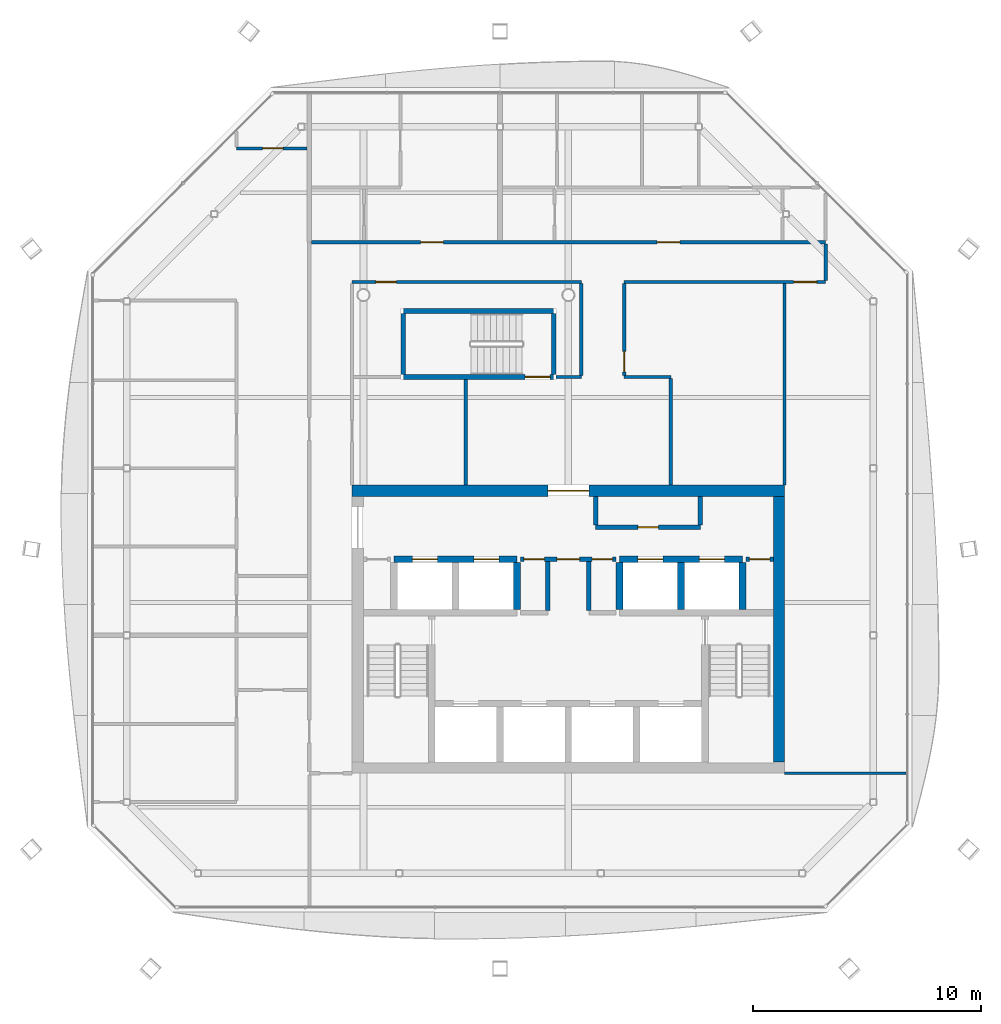
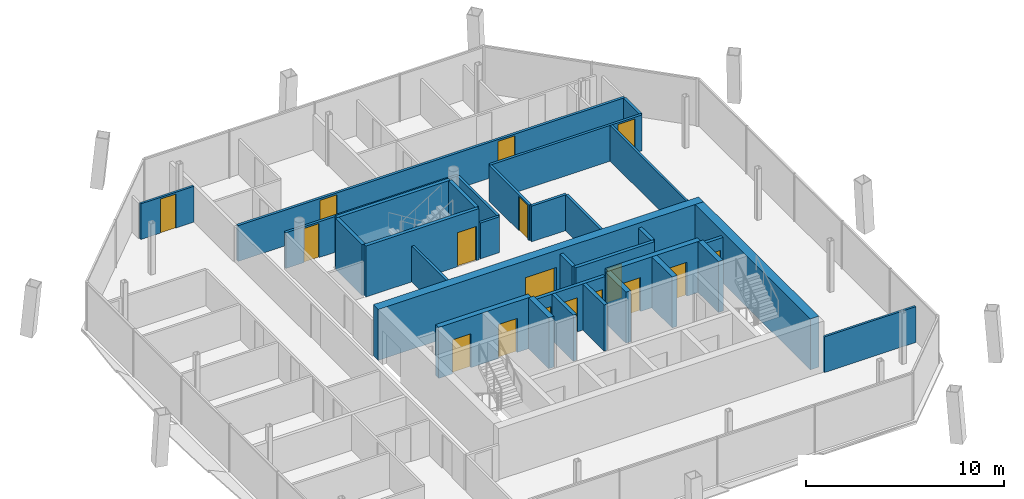
# One storey, part 11 of 15: 32 walls, 17 doors, 17 openings.
"""IFC4 building model written with IfcOpenShell, lengths in metres."""

from ifc_helpers import new_model, si_unit, direction, frame, frame_2d, origin, place, context, subcontext, project, spatial, rectangle, extrude, material, layer, layer_set, type_object, element, fill, save


model = new_model("IFC4")

# Units and contexts
model_context = context("Model", 3, precision=1e-05, world=origin(), true_north=direction((0.0, 1.0)))
body_context = subcontext(model_context, "Body", "Model", "MODEL_VIEW")
ifc_project = project(units=[si_unit("LENGTHUNIT", "METRE"), si_unit("AREAUNIT", "SQUARE_METRE"), si_unit("VOLUMEUNIT", "CUBIC_METRE"), si_unit("PLANEANGLEUNIT", "RADIAN"), si_unit("MASSUNIT", "GRAM", prefix="KILO")], contexts=[model_context])

# Site, building, storey
site_placement = place(None, origin())
site = spatial("IfcSite", under=ifc_project, at=site_placement, CompositionType="ELEMENT")
building_placement = place(site_placement, origin())
building = spatial("IfcBuilding", under=site, at=building_placement, Name="Tskaro Facet Tower", CompositionType="ELEMENT")
storey_placement = place(building_placement, frame((0.0, 0.0, 242.39990234375)))
storey = spatial("IfcBuildingStorey", under=building, at=storey_placement, Name="L63", CompositionType="ELEMENT", Elevation=242.39990234375)

# Wall, openings, doors
ifc_material_1 = material(Name="Concrete C60/75", Category="concrete")
ifc_layer_1 = layer(ifc_material_1, 0.300048828125, Name="Concrete C60/75")
ifc_layer_set_1 = layer_set([ifc_layer_1], Name="Concrete C60/75")
wall_type_1 = type_object("IfcWallType", Name="CORE-SHAFT", PredefinedType="SHEAR", material=ifc_layer_set_1)
wall_1_placement = place(storey_placement, frame((-7.64990234375, -2.60009765625, 0.0), z_axis=(0.0, 0.0, 1.0), x_axis=(1.0, 0.0, 0.0)))
wall_1 = element("IfcWall", 1, at=wall_1_placement, inside=storey, type_object=wall_type_1, Name="Shaft wall W016", PredefinedType="SHEAR", context=body_context, shape_type="SweptSolid", body=[
    extrude(rectangle(XDim=5.39990234375, YDim=0.300048828125, at=frame_2d((2.699951171875, 0.0))), origin(), (0.0, 0.0, 1.0), 3.150146484375),
])
opening_1_placement = place(wall_1_placement, frame((0.800048828125, 0.0, 0.0)))
opening_1 = element("IfcOpeningElement", 2, at=opening_1_placement, cuts=wall_1, Name="Opening LD-HB1", PredefinedType="OPENING", context=body_context, shape_type="SweptSolid", body=[
    extrude(rectangle(XDim=1.10009765625, YDim=2.10009765625, at=frame_2d((0.550048828125, 1.050048828125))), frame((0.0, 0.159912109375, 0.0), z_axis=(0.0, -1.0, 0.0), x_axis=(1.0, 0.0, 0.0)), (0.0, 0.0, 1.0), 0.320068359375),
])
opening_2_placement = place(wall_1_placement, frame((3.5, 0.0, 0.0)))
opening_2 = element("IfcOpeningElement", 3, at=opening_2_placement, cuts=wall_1, Name="Opening LD-HB2", PredefinedType="OPENING", context=body_context, shape_type="SweptSolid", body=[
    extrude(rectangle(XDim=1.10009765625, YDim=2.10009765625, at=frame_2d((0.550048828125, 1.050048828125))), frame((0.0, 0.159912109375, 0.0), z_axis=(0.0, -1.0, 0.0), x_axis=(1.0, 0.0, 0.0)), (0.0, 0.0, 1.0), 0.320068359375),
])
ifc_material_2 = material(Name="Stainless steel", Category="steel")
door_type_1 = type_object("IfcDoorType", Name="D-LANDING", OperationType="NOTDEFINED", PredefinedType="DOOR", material=ifc_material_2)
door_1_placement = place(opening_1_placement, origin())
door_1 = element("IfcDoor", 4, at=door_1_placement, inside=storey, type_object=door_type_1, Name="Landing door HB1", OperationType="DOUBLE_DOOR_SLIDING", OverallHeight=2.10009765625, OverallWidth=1.10009765625, PredefinedType="DOOR", context=body_context, shape_type="SweptSolid", body=[
    extrude(rectangle(XDim=1.10009765625, YDim=2.10009765625, at=frame_2d((0.550048828125, 1.050048828125))), frame((0.0, 0.02490234375, 0.0), z_axis=(0.0, -1.0, 0.0), x_axis=(1.0, 0.0, 0.0)), (0.0, 0.0, 1.0), 0.050048828125),
])
fill(opening_1, door_1)
door_2_placement = place(opening_2_placement, origin())
door_2 = element("IfcDoor", 5, at=door_2_placement, inside=storey, type_object=door_type_1, Name="Landing door HB2", OperationType="DOUBLE_DOOR_SLIDING", OverallHeight=2.10009765625, OverallWidth=1.10009765625, PredefinedType="DOOR", context=body_context, shape_type="SweptSolid", body=[
    extrude(rectangle(XDim=1.10009765625, YDim=2.10009765625, at=frame_2d((0.550048828125, 1.050048828125))), frame((0.0, 0.02490234375, 0.0), z_axis=(0.0, -1.0, 0.0), x_axis=(1.0, 0.0, 0.0)), (0.0, 0.0, 1.0), 0.050048828125),
])
fill(opening_2, door_2)

wall_2_placement = place(storey_placement, frame((2.25, -2.60009765625, 0.0), z_axis=(0.0, 0.0, 1.0), x_axis=(1.0, 0.0, 0.0)))
wall_2 = element("IfcWall", 6, at=wall_2_placement, inside=storey, type_object=wall_type_1, Name="Shaft wall W018", PredefinedType="SHEAR", context=body_context, shape_type="SweptSolid", body=[
    extrude(rectangle(XDim=5.39990234375, YDim=0.300048828125, at=frame_2d((2.699951171875, 0.0))), origin(), (0.0, 0.0, 1.0), 3.150146484375),
])
opening_3_placement = place(wall_2_placement, frame((0.800048828125, 0.0, 0.0)))
opening_3 = element("IfcOpeningElement", 7, at=opening_3_placement, cuts=wall_2, Name="Opening LD-HB3", PredefinedType="OPENING", context=body_context, shape_type="SweptSolid", body=[
    extrude(rectangle(XDim=1.10009765625, YDim=2.10009765625, at=frame_2d((0.550048828125, 1.050048828125))), frame((0.0, 0.159912109375, 0.0), z_axis=(0.0, -1.0, 0.0), x_axis=(1.0, 0.0, 0.0)), (0.0, 0.0, 1.0), 0.320068359375),
])
opening_4_placement = place(wall_2_placement, frame((3.5, 0.0, 0.0)))
opening_4 = element("IfcOpeningElement", 8, at=opening_4_placement, cuts=wall_2, Name="Opening LD-HB4", PredefinedType="OPENING", context=body_context, shape_type="SweptSolid", body=[
    extrude(rectangle(XDim=1.10009765625, YDim=2.10009765625, at=frame_2d((0.550048828125, 1.050048828125))), frame((0.0, 0.159912109375, 0.0), z_axis=(0.0, -1.0, 0.0), x_axis=(1.0, 0.0, 0.0)), (0.0, 0.0, 1.0), 0.320068359375),
])
door_3_placement = place(opening_3_placement, origin())
door_3 = element("IfcDoor", 9, at=door_3_placement, inside=storey, type_object=door_type_1, Name="Landing door HB3", OperationType="DOUBLE_DOOR_SLIDING", OverallHeight=2.10009765625, OverallWidth=1.10009765625, PredefinedType="DOOR", context=body_context, shape_type="SweptSolid", body=[
    extrude(rectangle(XDim=1.10009765625, YDim=2.10009765625, at=frame_2d((0.550048828125, 1.050048828125))), frame((0.0, 0.02490234375, 0.0), z_axis=(0.0, -1.0, 0.0), x_axis=(1.0, 0.0, 0.0)), (0.0, 0.0, 1.0), 0.050048828125),
])
fill(opening_3, door_3)
door_4_placement = place(opening_4_placement, origin())
door_4 = element("IfcDoor", 10, at=door_4_placement, inside=storey, type_object=door_type_1, Name="Landing door HB4", OperationType="DOUBLE_DOOR_SLIDING", OverallHeight=2.10009765625, OverallWidth=1.10009765625, PredefinedType="DOOR", context=body_context, shape_type="SweptSolid", body=[
    extrude(rectangle(XDim=1.10009765625, YDim=2.10009765625, at=frame_2d((0.550048828125, 1.050048828125))), frame((0.0, 0.02490234375, 0.0), z_axis=(0.0, -1.0, 0.0), x_axis=(1.0, 0.0, 0.0)), (0.0, 0.0, 1.0), 0.050048828125),
])
fill(opening_4, door_4)

# Walls
for number, where, z_axis, x_axis, name in (
    (11, (-2.25, -4.800048828125, 0.0), (0.0, 0.0, 1.0), (0.0, 1.0, 0.0), "Shaft wall W055"),
    (12, (2.25, -4.800048828125, 0.0), (0.0, 0.0, 1.0), (0.0, 1.0, 0.0), "Shaft wall W064"),
    (13, (4.949951171875, -4.800048828125, 0.0), (0.0, 0.0, 1.0), (0.0, 1.0, 0.0), "Shaft wall W069"),
    (14, (7.64990234375, -4.800048828125, 0.0), (0.0, 0.0, 1.0), (0.0, 1.0, 0.0), "Shaft wall W074"),
):
    element("IfcWall", number, at=place(storey_placement, frame(where, z_axis=z_axis, x_axis=x_axis)), inside=storey, type_object=wall_type_1, Name=name, PredefinedType="SHEAR", context=body_context, shape_type="SweptSolid", body=[
        extrude(rectangle(XDim=2.050048828125, YDim=0.300048828125, at=frame_2d((1.02490234375, 0.0))), origin(), (0.0, 0.0, 1.0), 3.150146484375),
    ])

# Wall, openings, doors
ifc_material_3 = material(Name="Concrete C20/25", Category="concrete")
ifc_layer_2 = layer(ifc_material_3, 0.199951171875, Name="Concrete C20/25")
ifc_layer_set_2 = layer_set([ifc_layer_2], Name="Concrete C20/25")
wall_type_2 = type_object("IfcWallType", Name="CORE-WALL", PredefinedType="SOLIDWALL", material=ifc_layer_set_2)
wall_3_placement = place(storey_placement, frame((2.10009765625, -2.60009765625, 0.0), z_axis=(0.0, 0.0, 1.0), x_axis=(-1.0, 0.0, 0.0)))
wall_3 = element("IfcWall", 15, at=wall_3_placement, inside=storey, type_object=wall_type_2, Name="Core room wall W017", PredefinedType="SOLIDWALL", context=body_context, shape_type="SweptSolid", body=[
    extrude(rectangle(XDim=4.2001953125, YDim=0.199951171875, at=frame_2d((2.10009765625, 0.0))), origin(), (0.0, 0.0, 1.0), 2.85009765625),
])
opening_5_placement = place(wall_3_placement, frame((1.60009765625, 0.0, 0.0)))
opening_5 = element("IfcOpeningElement", 16, at=opening_5_placement, cuts=wall_3, Name="Opening FL-D1", PredefinedType="OPENING", context=body_context, shape_type="SweptSolid", body=[
    extrude(rectangle(XDim=1.0, YDim=2.10009765625, at=frame_2d((0.5, 1.050048828125))), frame((0.0, 0.10986328125, 0.0), z_axis=(0.0, -1.0, 0.0), x_axis=(1.0, 0.0, 0.0)), (0.0, 0.0, 1.0), 0.219970703125),
])
opening_6_placement = place(wall_3_placement, frame((3.14990234375, 0.0, 0.0)))
opening_6 = element("IfcOpeningElement", 17, at=opening_6_placement, cuts=wall_3, Name="Opening T18-D09", PredefinedType="OPENING", context=body_context, shape_type="SweptSolid", body=[
    extrude(rectangle(XDim=0.89990234375, YDim=2.10009765625, at=frame_2d((0.449951171875, 1.050048828125))), frame((0.0, 0.10986328125, 0.0), z_axis=(0.0, -1.0, 0.0), x_axis=(1.0, 0.0, 0.0)), (0.0, 0.0, 1.0), 0.219970703125),
])
opening_7_placement = place(wall_3_placement, frame((0.14990234375, 0.0, 0.0)))
opening_7 = element("IfcOpeningElement", 18, at=opening_7_placement, cuts=wall_3, Name="Opening T18-D10", PredefinedType="OPENING", context=body_context, shape_type="SweptSolid", body=[
    extrude(rectangle(XDim=0.89990234375, YDim=2.10009765625, at=frame_2d((0.449951171875, 1.050048828125))), frame((0.0, 0.10986328125, 0.0), z_axis=(0.0, -1.0, 0.0), x_axis=(1.0, 0.0, 0.0)), (0.0, 0.0, 1.0), 0.219970703125),
])
ifc_material_4 = material(Name="Steel", Category="steel")
door_type_2 = type_object("IfcDoorType", Name="D-LOBBY", OperationType="NOTDEFINED", PredefinedType="DOOR", material=ifc_material_4)
door_5_placement = place(opening_5_placement, origin())
door_5 = element("IfcDoor", 19, at=door_5_placement, inside=storey, type_object=door_type_2, Name="Lobby door FL", OperationType="SINGLE_SWING_RIGHT", OverallHeight=2.10009765625, OverallWidth=1.0, PredefinedType="DOOR", context=body_context, shape_type="SweptSolid", body=[
    extrude(rectangle(XDim=1.0, YDim=2.10009765625, at=frame_2d((0.5, 1.050048828125))), frame((0.0, 0.02490234375, 0.0), z_axis=(0.0, -1.0, 0.0), x_axis=(1.0, 0.0, 0.0)), (0.0, 0.0, 1.0), 0.050048828125),
])
fill(opening_5, door_5)
ifc_material_5 = material(Name="Timber", Category="wood")
door_type_3 = type_object("IfcDoorType", Name="D-ROOM", OperationType="NOTDEFINED", PredefinedType="DOOR", material=ifc_material_5)
door_6_placement = place(opening_6_placement, origin())
door_6 = element("IfcDoor", 20, at=door_6_placement, inside=storey, type_object=door_type_3, Name="Door T18-D09", OperationType="SINGLE_SWING_RIGHT", OverallHeight=2.10009765625, OverallWidth=0.89990234375, PredefinedType="DOOR", context=body_context, shape_type="SweptSolid", body=[
    extrude(rectangle(XDim=0.89990234375, YDim=2.10009765625, at=frame_2d((0.449951171875, 1.050048828125))), frame((0.0, 0.02490234375, 0.0), z_axis=(0.0, -1.0, 0.0), x_axis=(1.0, 0.0, 0.0)), (0.0, 0.0, 1.0), 0.050048828125),
])
fill(opening_6, door_6)
door_7_placement = place(opening_7_placement, origin())
door_7 = element("IfcDoor", 21, at=door_7_placement, inside=storey, type_object=door_type_3, Name="Door T18-D10", OperationType="SINGLE_SWING_RIGHT", OverallHeight=2.10009765625, OverallWidth=0.89990234375, PredefinedType="DOOR", context=body_context, shape_type="SweptSolid", body=[
    extrude(rectangle(XDim=0.89990234375, YDim=2.10009765625, at=frame_2d((0.449951171875, 1.050048828125))), frame((0.0, 0.02490234375, 0.0), z_axis=(0.0, -1.0, 0.0), x_axis=(1.0, 0.0, 0.0)), (0.0, 0.0, 1.0), 0.050048828125),
])
fill(opening_7, door_7)

# Wall, opening, door
wall_4_placement = place(storey_placement, frame((9.0, -2.60009765625, 0.0), z_axis=(0.0, 0.0, 1.0), x_axis=(-1.0, 0.0, 0.0)))
wall_4 = element("IfcWall", 22, at=wall_4_placement, inside=storey, type_object=wall_type_2, Name="Core room wall W019", PredefinedType="SOLIDWALL", context=body_context, shape_type="SweptSolid", body=[
    extrude(rectangle(XDim=1.199951171875, YDim=0.199951171875, at=frame_2d((0.60009765625, 0.0))), origin(), (0.0, 0.0, 1.0), 2.85009765625),
])
opening_8_placement = place(wall_4_placement, frame((0.14990234375, 0.0, 0.0)))
opening_8 = element("IfcOpeningElement", 23, at=opening_8_placement, cuts=wall_4, Name="Opening T18-D11", PredefinedType="OPENING", context=body_context, shape_type="SweptSolid", body=[
    extrude(rectangle(XDim=0.89990234375, YDim=2.10009765625, at=frame_2d((0.449951171875, 1.050048828125))), frame((0.0, 0.10986328125, 0.0), z_axis=(0.0, -1.0, 0.0), x_axis=(1.0, 0.0, 0.0)), (0.0, 0.0, 1.0), 0.219970703125),
])
door_8_placement = place(opening_8_placement, origin())
door_8 = element("IfcDoor", 24, at=door_8_placement, inside=storey, type_object=door_type_3, Name="Door T18-D11", OperationType="SINGLE_SWING_RIGHT", OverallHeight=2.10009765625, OverallWidth=0.89990234375, PredefinedType="DOOR", context=body_context, shape_type="SweptSolid", body=[
    extrude(rectangle(XDim=0.89990234375, YDim=2.10009765625, at=frame_2d((0.449951171875, 1.050048828125))), frame((0.0, 0.02490234375, 0.0), z_axis=(0.0, -1.0, 0.0), x_axis=(1.0, 0.0, 0.0)), (0.0, 0.0, 1.0), 0.050048828125),
])
fill(opening_8, door_8)

wall_5_placement = place(storey_placement, frame((1.199951171875, -1.199951171875, 0.0), z_axis=(0.0, 0.0, 1.0), x_axis=(1.0, 0.0, 0.0)))
wall_5 = element("IfcWall", 25, at=wall_5_placement, inside=storey, type_object=wall_type_2, Name="Core room wall W021", PredefinedType="SOLIDWALL", context=body_context, shape_type="SweptSolid", body=[
    extrude(rectangle(XDim=4.60009765625, YDim=0.199951171875, at=frame_2d((2.300048828125, 0.0))), origin(), (0.0, 0.0, 1.0), 2.85009765625),
])
opening_9_placement = place(wall_5_placement, frame((1.85009765625, 0.0, 0.0)))
opening_9 = element("IfcOpeningElement", 26, at=opening_9_placement, cuts=wall_5, Name="Opening T18-D13", PredefinedType="OPENING", context=body_context, shape_type="SweptSolid", body=[
    extrude(rectangle(XDim=0.89990234375, YDim=2.10009765625, at=frame_2d((0.449951171875, 1.050048828125))), frame((0.0, 0.10986328125, 0.0), z_axis=(0.0, -1.0, 0.0), x_axis=(1.0, 0.0, 0.0)), (0.0, 0.0, 1.0), 0.219970703125),
])
door_9_placement = place(opening_9_placement, origin())
door_9 = element("IfcDoor", 27, at=door_9_placement, inside=storey, type_object=door_type_3, Name="Door T18-D13", OperationType="SINGLE_SWING_LEFT", OverallHeight=2.10009765625, OverallWidth=0.89990234375, PredefinedType="DOOR", context=body_context, shape_type="SweptSolid", body=[
    extrude(rectangle(XDim=0.89990234375, YDim=2.10009765625, at=frame_2d((0.449951171875, 1.050048828125))), frame((0.0, 0.02490234375, 0.0), z_axis=(0.0, -1.0, 0.0), x_axis=(1.0, 0.0, 0.0)), (0.0, 0.0, 1.0), 0.050048828125),
])
fill(opening_9, door_9)

# Walls
for number, where, z_axis, x_axis, name in (
    (28, (-0.89990234375, -4.85009765625, 0.0), (0.0, 0.0, 1.0), (0.0, 1.0, 0.0), "Core room wall W056"),
    (29, (0.89990234375, -4.85009765625, 0.0), (0.0, 0.0, 1.0), (0.0, 1.0, 0.0), "Core room wall W062"),
):
    element("IfcWall", number, at=place(storey_placement, frame(where, z_axis=z_axis, x_axis=x_axis)), inside=storey, type_object=wall_type_2, Name=name, PredefinedType="SOLIDWALL", context=body_context, shape_type="SweptSolid", body=[
        extrude(rectangle(XDim=2.150146484375, YDim=0.199951171875, at=frame_2d((1.0751953125, 0.0))), origin(), (0.0, 0.0, 1.0), 2.85009765625),
    ])
for number, where, z_axis, x_axis, name in (
    (30, (1.199951171875, -1.10009765625, 0.0), (0.0, 0.0, 1.0), (0.0, 1.0, 0.0), "Core room wall W063"),
    (31, (5.800048828125, -1.10009765625, 0.0), (0.0, 0.0, 1.0), (0.0, 1.0, 0.0), "Core room wall W072"),
):
    element("IfcWall", number, at=place(storey_placement, frame(where, z_axis=z_axis, x_axis=x_axis)), inside=storey, type_object=wall_type_2, Name=name, PredefinedType="SOLIDWALL", context=body_context, shape_type="SweptSolid", body=[
        extrude(rectangle(XDim=1.25, YDim=0.199951171875, at=frame_2d((0.625, 0.0))), origin(), (0.0, 0.0, 1.0), 2.85009765625),
    ])

# Wall, opening, door
ifc_material_6 = material(Name="Concrete C40/50", Category="concrete")
ifc_layer_3 = layer(ifc_material_6, 0.5, Name="Concrete C40/50")
ifc_layer_set_3 = layer_set([ifc_layer_3], Name="Concrete C40/50")
wall_type_3 = type_object("IfcWallType", Name="Core wall 500", PredefinedType="SHEAR", material=ifc_layer_set_3)
wall_6_placement = place(storey_placement, frame((-9.5, 0.39990234375, 0.0), z_axis=(0.0, 0.0, 1.0), x_axis=(1.0, 0.0, 0.0)))
wall_6 = element("IfcWall", 32, at=wall_6_placement, inside=storey, type_object=wall_type_3, Name="Core wall CW-Z3N", PredefinedType="SHEAR", context=body_context, shape_type="SweptSolid", body=[
    extrude(rectangle(XDim=19.0, YDim=0.5, at=frame_2d((9.5, 0.0))), origin(), (0.0, 0.0, 1.0), 3.150146484375),
])
opening_10_placement = place(wall_6_placement, frame((8.60009765625, 0.0, 0.0)))
opening_10 = element("IfcOpeningElement", 33, at=opening_10_placement, cuts=wall_6, Name="Opening T18-D15", PredefinedType="OPENING", context=body_context, shape_type="SweptSolid", body=[
    extrude(rectangle(XDim=1.800048828125, YDim=2.10009765625, at=frame_2d((0.89990234375, 1.050048828125))), frame((0.0, 0.260009765625, 0.0), z_axis=(0.0, -1.0, 0.0), x_axis=(1.0, 0.0, 0.0)), (0.0, 0.0, 1.0), 0.52001953125),
])
door_type_4 = type_object("IfcDoorType", Name="D-CORE-PAIR", OperationType="NOTDEFINED", PredefinedType="DOOR", material=ifc_material_4)
door_10_placement = place(opening_10_placement, origin())
door_10 = element("IfcDoor", 34, at=door_10_placement, inside=storey, type_object=door_type_4, Name="Door T18-D15", OperationType="DOUBLE_DOOR_SINGLE_SWING", OverallHeight=2.10009765625, OverallWidth=1.800048828125, PredefinedType="DOOR", context=body_context, shape_type="SweptSolid", body=[
    extrude(rectangle(XDim=1.800048828125, YDim=2.10009765625, at=frame_2d((0.89990234375, 1.050048828125))), frame((0.0, 0.02490234375, 0.0), z_axis=(0.0, -1.0, 0.0), x_axis=(1.0, 0.0, 0.0)), (0.0, 0.0, 1.0), 0.050048828125),
])
fill(opening_10, door_10)

# Walls
wall_7_placement = place(storey_placement, frame((9.25, -11.5, 0.0), z_axis=(0.0, 0.0, 1.0), x_axis=(0.0, 1.0, 0.0)))
element("IfcWall", 35, at=wall_7_placement, inside=storey, type_object=wall_type_3, Name="Core wall CW-Z3E", PredefinedType="SHEAR", context=body_context, shape_type="SweptSolid", body=[
    extrude(rectangle(XDim=11.64990234375, YDim=0.5, at=frame_2d((5.824951171875, 0.0))), origin(), (0.0, 0.0, 1.0), 3.150146484375),
])
ifc_material_7 = material(Name="Gypsum board on steel studs", Category="steel")
ifc_layer_4 = layer(ifc_material_7, 0.125, Name="Gypsum board on steel studs")
ifc_layer_set_4 = layer_set([ifc_layer_4], Name="Gypsum board on steel studs")
wall_type_4 = type_object("IfcWallType", Name="PART", PredefinedType="PARTITIONING", material=ifc_layer_set_4)
wall_8_placement = place(storey_placement, frame((9.5, -12.0, 0.0), z_axis=(0.0, 0.0, 1.0), x_axis=(1.0, 0.0, 0.0)))
element("IfcWall", 36, at=wall_8_placement, inside=storey, type_object=wall_type_4, Name="Partition W004", PredefinedType="PARTITIONING", context=body_context, shape_type="SweptSolid", body=[
    extrude(rectangle(XDim=5.339111328125, YDim=0.125, at=frame_2d((2.66943359375, 0.0))), origin(), (0.0, 0.0, 1.0), 2.210205078125),
])

# Wall, opening, door
wall_9_placement = place(storey_placement, frame((-14.574951171875, 15.43994140625, 0.0), z_axis=(0.0, 0.0, 1.0), x_axis=(1.0, 0.0, 0.0)))
wall_9 = element("IfcWall", 37, at=wall_9_placement, inside=storey, type_object=wall_type_4, Name="Partition W038", PredefinedType="PARTITIONING", context=body_context, shape_type="SweptSolid", body=[
    extrude(rectangle(XDim=3.099853515625, YDim=0.125, at=frame_2d((1.5498046875, 0.0))), origin(), (0.0, 0.0, 1.0), 2.210205078125),
])
opening_11_placement = place(wall_9_placement, frame((1.14990234375, 0.0, 0.0)))
opening_11 = element("IfcOpeningElement", 38, at=opening_11_placement, cuts=wall_9, Name="Opening T18-D30", PredefinedType="OPENING", context=body_context, shape_type="SweptSolid", body=[
    extrude(rectangle(XDim=0.89990234375, YDim=2.10009765625, at=frame_2d((0.449951171875, 1.050048828125))), frame((0.0, 0.072509765625, 0.0), z_axis=(0.0, -1.0, 0.0), x_axis=(1.0, 0.0, 0.0)), (0.0, 0.0, 1.0), 0.14501953125),
])
door_11_placement = place(opening_11_placement, origin())
door_11 = element("IfcDoor", 39, at=door_11_placement, inside=storey, type_object=door_type_3, Name="Door T18-D30", OperationType="SINGLE_SWING_LEFT", OverallHeight=2.10009765625, OverallWidth=0.89990234375, PredefinedType="DOOR", context=body_context, shape_type="SweptSolid", body=[
    extrude(rectangle(XDim=0.89990234375, YDim=2.10009765625, at=frame_2d((0.449951171875, 1.050048828125))), frame((0.0, 0.02490234375, 0.0), z_axis=(0.0, -1.0, 0.0), x_axis=(1.0, 0.0, 0.0)), (0.0, 0.0, 1.0), 0.050048828125),
])
fill(opening_11, door_11)

# Walls
wall_10_placement = place(storey_placement, frame((9.5, 0.64990234375, 0.0), z_axis=(0.0, 0.0, 1.0), x_axis=(0.0, 1.0, 0.0)))
element("IfcWall", 40, at=wall_10_placement, inside=storey, type_object=wall_type_4, Name="Partition W077", PredefinedType="PARTITIONING", context=body_context, shape_type="SweptSolid", body=[
    extrude(rectangle(XDim=8.85009765625, YDim=0.125, at=frame_2d((4.425048828125, 0.0))), origin(), (0.0, 0.0, 1.0), 2.210205078125),
])
ifc_layer_5 = layer(ifc_material_7, 0.14990234375, Name="Gypsum board on steel studs")
ifc_layer_set_5 = layer_set([ifc_layer_5], Name="Gypsum board on steel studs")
wall_type_5 = type_object("IfcWallType", Name="PART-CORR", PredefinedType="PARTITIONING", material=ifc_layer_set_5)
wall_11_placement = place(storey_placement, frame((-0.550048828125, 5.39990234375, 0.0), z_axis=(0.0, 0.0, 1.0), x_axis=(1.0, 0.0, 0.0)))
element("IfcWall", 41, at=wall_11_placement, inside=storey, type_object=wall_type_5, Name="Corridor wall W027", PredefinedType="PARTITIONING", context=body_context, shape_type="SweptSolid", body=[
    extrude(rectangle(XDim=1.125, YDim=0.14990234375, at=frame_2d((0.5625, 0.0))), origin(), (0.0, 0.0, 1.0), 2.210205078125),
])
wall_12_placement = place(storey_placement, frame((2.449951171875, 5.39990234375, 0.0), z_axis=(0.0, 0.0, 1.0), x_axis=(1.0, 0.0, 0.0)))
element("IfcWall", 42, at=wall_12_placement, inside=storey, type_object=wall_type_5, Name="Corridor wall W028", PredefinedType="PARTITIONING", context=body_context, shape_type="SweptSolid", body=[
    extrude(rectangle(XDim=2.050048828125, YDim=0.14990234375, at=frame_2d((1.02490234375, 0.0))), origin(), (0.0, 0.0, 1.0), 2.210205078125),
])

# Wall, opening, door
wall_13_placement = place(storey_placement, frame((0.574951171875, 9.574951171875, 0.0), z_axis=(0.0, 0.0, 1.0), x_axis=(-1.0, 0.0, 0.0)))
wall_13 = element("IfcWall", 43, at=wall_13_placement, inside=storey, type_object=wall_type_5, Name="Corridor wall W032", PredefinedType="PARTITIONING", context=body_context, shape_type="SweptSolid", body=[
    extrude(rectangle(XDim=10.074951171875, YDim=0.14990234375, at=frame_2d((5.03759765625, 0.0))), origin(), (0.0, 0.0, 1.0), 2.210205078125),
])
opening_12_placement = place(wall_13_placement, frame((8.125, 0.0, 0.0)))
opening_12 = element("IfcOpeningElement", 44, at=opening_12_placement, cuts=wall_13, Name="Opening T18-D21", PredefinedType="OPENING", context=body_context, shape_type="SweptSolid", body=[
    extrude(rectangle(XDim=0.89990234375, YDim=2.10009765625, at=frame_2d((0.449951171875, 1.050048828125))), frame((0.0, 0.0849609375, 0.0), z_axis=(0.0, -1.0, 0.0), x_axis=(1.0, 0.0, 0.0)), (0.0, 0.0, 1.0), 0.169921875),
])
door_12_placement = place(opening_12_placement, origin())
door_12 = element("IfcDoor", 45, at=door_12_placement, inside=storey, type_object=door_type_3, Name="Door T18-D21", OperationType="SINGLE_SWING_RIGHT", OverallHeight=2.10009765625, OverallWidth=0.89990234375, PredefinedType="DOOR", context=body_context, shape_type="SweptSolid", body=[
    extrude(rectangle(XDim=0.89990234375, YDim=2.10009765625, at=frame_2d((0.449951171875, 1.050048828125))), frame((0.0, 0.02490234375, 0.0), z_axis=(0.0, -1.0, 0.0), x_axis=(1.0, 0.0, 0.0)), (0.0, 0.0, 1.0), 0.050048828125),
])
fill(opening_12, door_12)

wall_14_placement = place(storey_placement, frame((11.300048828125, 9.574951171875, 0.0), z_axis=(0.0, 0.0, 1.0), x_axis=(-1.0, 0.0, 0.0)))
wall_14 = element("IfcWall", 46, at=wall_14_placement, inside=storey, type_object=wall_type_5, Name="Corridor wall W033", PredefinedType="PARTITIONING", context=body_context, shape_type="SweptSolid", body=[
    extrude(rectangle(XDim=8.85009765625, YDim=0.14990234375, at=frame_2d((4.425048828125, 0.0))), origin(), (0.0, 0.0, 1.0), 2.210205078125),
])
opening_13_placement = place(wall_14_placement, frame((0.39990234375, 0.0, 0.0)))
opening_13 = element("IfcOpeningElement", 47, at=opening_13_placement, cuts=wall_14, Name="Opening T18-D22", PredefinedType="OPENING", context=body_context, shape_type="SweptSolid", body=[
    extrude(rectangle(XDim=1.0, YDim=2.10009765625, at=frame_2d((0.5, 1.050048828125))), frame((0.0, 0.0849609375, 0.0), z_axis=(0.0, -1.0, 0.0), x_axis=(1.0, 0.0, 0.0)), (0.0, 0.0, 1.0), 0.169921875),
])
door_type_5 = type_object("IfcDoorType", Name="D-ROOM-WIDE", OperationType="NOTDEFINED", PredefinedType="DOOR", material=ifc_material_5)
door_13_placement = place(opening_13_placement, origin())
door_13 = element("IfcDoor", 48, at=door_13_placement, inside=storey, type_object=door_type_5, Name="Door T18-D22", OperationType="SINGLE_SWING_RIGHT", OverallHeight=2.10009765625, OverallWidth=1.0, PredefinedType="DOOR", context=body_context, shape_type="SweptSolid", body=[
    extrude(rectangle(XDim=1.0, YDim=2.10009765625, at=frame_2d((0.5, 1.050048828125))), frame((0.0, 0.02490234375, 0.0), z_axis=(0.0, -1.0, 0.0), x_axis=(1.0, 0.0, 0.0)), (0.0, 0.0, 1.0), 0.050048828125),
])
fill(opening_13, door_13)

# Wall, openings, doors
wall_15_placement = place(storey_placement, frame((-11.27490234375, 11.324951171875, 0.0), z_axis=(0.0, 0.0, 1.0), x_axis=(1.0, 0.0, 0.0)))
wall_15 = element("IfcWall", 49, at=wall_15_placement, inside=storey, type_object=wall_type_5, Name="Corridor wall W034", PredefinedType="PARTITIONING", context=body_context, shape_type="SweptSolid", body=[
    extrude(rectangle(XDim=22.574951171875, YDim=0.14990234375, at=frame_2d((11.28759765625, 0.0))), origin(), (0.0, 0.0, 1.0), 2.210205078125),
])
opening_14_placement = place(wall_15_placement, frame((4.78759765625, 0.0, 0.0)))
opening_14 = element("IfcOpeningElement", 50, at=opening_14_placement, cuts=wall_15, Name="Opening T18-D23", PredefinedType="OPENING", context=body_context, shape_type="SweptSolid", body=[
    extrude(rectangle(XDim=1.0, YDim=2.10009765625, at=frame_2d((0.5, 1.050048828125))), frame((0.0, 0.0849609375, 0.0), z_axis=(0.0, -1.0, 0.0), x_axis=(1.0, 0.0, 0.0)), (0.0, 0.0, 1.0), 0.169921875),
])
opening_15_placement = place(wall_15_placement, frame((15.175048828125, 0.0, 0.0)))
opening_15 = element("IfcOpeningElement", 51, at=opening_15_placement, cuts=wall_15, Name="Opening T18-D24", PredefinedType="OPENING", context=body_context, shape_type="SweptSolid", body=[
    extrude(rectangle(XDim=1.0, YDim=2.10009765625, at=frame_2d((0.5, 1.050048828125))), frame((0.0, 0.0849609375, 0.0), z_axis=(0.0, -1.0, 0.0), x_axis=(1.0, 0.0, 0.0)), (0.0, 0.0, 1.0), 0.169921875),
])
door_type_6 = type_object("IfcDoorType", Name="D-FLAT-ENTRY", OperationType="NOTDEFINED", PredefinedType="DOOR", material=ifc_material_5)
door_14_placement = place(opening_14_placement, origin())
door_14 = element("IfcDoor", 52, at=door_14_placement, inside=storey, type_object=door_type_6, Name="Door T18-D23", OperationType="SINGLE_SWING_LEFT", OverallHeight=2.10009765625, OverallWidth=1.0, PredefinedType="DOOR", context=body_context, shape_type="SweptSolid", body=[
    extrude(rectangle(XDim=1.0, YDim=2.10009765625, at=frame_2d((0.5, 1.050048828125))), frame((0.0, 0.02490234375, 0.0), z_axis=(0.0, -1.0, 0.0), x_axis=(1.0, 0.0, 0.0)), (0.0, 0.0, 1.0), 0.050048828125),
])
fill(opening_14, door_14)
door_15_placement = place(opening_15_placement, origin())
door_15 = element("IfcDoor", 53, at=door_15_placement, inside=storey, type_object=door_type_6, Name="Door T18-D24", OperationType="SINGLE_SWING_LEFT", OverallHeight=2.10009765625, OverallWidth=1.0, PredefinedType="DOOR", context=body_context, shape_type="SweptSolid", body=[
    extrude(rectangle(XDim=1.0, YDim=2.10009765625, at=frame_2d((0.5, 1.050048828125))), frame((0.0, 0.02490234375, 0.0), z_axis=(0.0, -1.0, 0.0), x_axis=(1.0, 0.0, 0.0)), (0.0, 0.0, 1.0), 0.050048828125),
])
fill(opening_15, door_15)

# Walls
wall_16_placement = place(storey_placement, frame((-4.5, 0.64990234375, 0.0), z_axis=(0.0, 0.0, 1.0), x_axis=(0.0, 1.0, 0.0)))
element("IfcWall", 54, at=wall_16_placement, inside=storey, type_object=wall_type_5, Name="Corridor wall W051", PredefinedType="PARTITIONING", context=body_context, shape_type="SweptSolid", body=[
    extrude(rectangle(XDim=4.650146484375, YDim=0.14990234375, at=frame_2d((2.3251953125, 0.0))), origin(), (0.0, 0.0, 1.0), 2.210205078125),
])
wall_17_placement = place(storey_placement, frame((0.574951171875, 5.47509765625, 0.0), z_axis=(0.0, 0.0, 1.0), x_axis=(0.0, 1.0, 0.0)))
element("IfcWall", 55, at=wall_17_placement, inside=storey, type_object=wall_type_5, Name="Corridor wall W061", PredefinedType="PARTITIONING", context=body_context, shape_type="SweptSolid", body=[
    extrude(rectangle(XDim=4.02490234375, YDim=0.14990234375, at=frame_2d((2.012451171875, 0.0))), origin(), (0.0, 0.0, 1.0), 2.210205078125),
])

# Wall, opening, door
wall_18_placement = place(storey_placement, frame((2.449951171875, 9.5, 0.0), z_axis=(0.0, 0.0, 1.0), x_axis=(0.0, -1.0, 0.0)))
wall_18 = element("IfcWall", 56, at=wall_18_placement, inside=storey, type_object=wall_type_5, Name="Corridor wall W065", PredefinedType="PARTITIONING", context=body_context, shape_type="SweptSolid", body=[
    extrude(rectangle(XDim=4.02490234375, YDim=0.14990234375, at=frame_2d((2.012451171875, 0.0))), origin(), (0.0, 0.0, 1.0), 2.210205078125),
])
opening_16_placement = place(wall_18_placement, frame((2.97509765625, 0.0, 0.0)))
opening_16 = element("IfcOpeningElement", 57, at=opening_16_placement, cuts=wall_18, Name="Opening T18-D19", PredefinedType="OPENING", context=body_context, shape_type="SweptSolid", body=[
    extrude(rectangle(XDim=0.89990234375, YDim=2.10009765625, at=frame_2d((0.449951171875, 1.050048828125))), frame((0.0, 0.0849609375, 0.0), z_axis=(0.0, -1.0, 0.0), x_axis=(1.0, 0.0, 0.0)), (0.0, 0.0, 1.0), 0.169921875),
])
door_16_placement = place(opening_16_placement, origin())
door_16 = element("IfcDoor", 58, at=door_16_placement, inside=storey, type_object=door_type_3, Name="Door T18-D19", OperationType="SINGLE_SWING_RIGHT", OverallHeight=2.10009765625, OverallWidth=0.89990234375, PredefinedType="DOOR", context=body_context, shape_type="SweptSolid", body=[
    extrude(rectangle(XDim=0.89990234375, YDim=2.10009765625, at=frame_2d((0.449951171875, 1.050048828125))), frame((0.0, 0.02490234375, 0.0), z_axis=(0.0, -1.0, 0.0), x_axis=(1.0, 0.0, 0.0)), (0.0, 0.0, 1.0), 0.050048828125),
])
fill(opening_16, door_16)

# Walls
wall_19_placement = place(storey_placement, frame((4.5, 0.64990234375, 0.0), z_axis=(0.0, 0.0, 1.0), x_axis=(0.0, 1.0, 0.0)))
element("IfcWall", 59, at=wall_19_placement, inside=storey, type_object=wall_type_5, Name="Corridor wall W068", PredefinedType="PARTITIONING", context=body_context, shape_type="SweptSolid", body=[
    extrude(rectangle(XDim=4.675048828125, YDim=0.14990234375, at=frame_2d((2.33740234375, 0.0))), origin(), (0.0, 0.0, 1.0), 2.210205078125),
])
wall_20_placement = place(storey_placement, frame((11.300048828125, 9.64990234375, 0.0), z_axis=(0.0, 0.0, 1.0), x_axis=(0.0, 1.0, 0.0)))
element("IfcWall", 60, at=wall_20_placement, inside=storey, type_object=wall_type_5, Name="Corridor wall W078", PredefinedType="PARTITIONING", context=body_context, shape_type="SweptSolid", body=[
    extrude(rectangle(XDim=1.60009765625, YDim=0.14990234375, at=frame_2d((0.800048828125, 0.0))), origin(), (0.0, 0.0, 1.0), 2.210205078125),
])

# Wall, opening, door
ifc_layer_6 = layer(ifc_material_1, 0.199951171875, Name="Concrete C60/75")
ifc_layer_set_6 = layer_set([ifc_layer_6], Name="Concrete C60/75")
wall_type_6 = type_object("IfcWallType", Name="STAIR-WALL", PredefinedType="SHEAR", material=ifc_layer_set_6)
wall_21_placement = place(storey_placement, frame((-7.25, 5.39990234375, 0.0), z_axis=(0.0, 0.0, 1.0), x_axis=(1.0, 0.0, 0.0)))
wall_21 = element("IfcWall", 61, at=wall_21_placement, inside=storey, type_object=wall_type_6, Name="Stair wall W026", PredefinedType="SHEAR", context=body_context, shape_type="SweptSolid", body=[
    extrude(rectangle(XDim=6.60009765625, YDim=0.199951171875, at=frame_2d((3.300048828125, 0.0))), origin(), (0.0, 0.0, 1.0), 3.150146484375),
])
opening_17_placement = place(wall_21_placement, frame((5.35009765625, 0.0, 0.0)))
opening_17 = element("IfcOpeningElement", 62, at=opening_17_placement, cuts=wall_21, Name="Opening ST-3-D1", PredefinedType="OPENING", context=body_context, shape_type="SweptSolid", body=[
    extrude(rectangle(XDim=1.10009765625, YDim=2.10009765625, at=frame_2d((0.550048828125, 1.050048828125))), frame((0.0, 0.10986328125, 0.0), z_axis=(0.0, -1.0, 0.0), x_axis=(1.0, 0.0, 0.0)), (0.0, 0.0, 1.0), 0.219970703125),
])
door_type_7 = type_object("IfcDoorType", Name="D-STAIR", OperationType="NOTDEFINED", PredefinedType="DOOR", material=ifc_material_4)
door_17_placement = place(opening_17_placement, origin())
door_17 = element("IfcDoor", 63, at=door_17_placement, inside=storey, type_object=door_type_7, Name="Stair door 3", OperationType="SINGLE_SWING_LEFT", OverallHeight=2.10009765625, OverallWidth=1.10009765625, PredefinedType="DOOR", context=body_context, shape_type="SweptSolid", body=[
    extrude(rectangle(XDim=1.10009765625, YDim=2.10009765625, at=frame_2d((0.550048828125, 1.050048828125))), frame((0.0, 0.02490234375, 0.0), z_axis=(0.0, -1.0, 0.0), x_axis=(1.0, 0.0, 0.0)), (0.0, 0.0, 1.0), 0.050048828125),
])
fill(opening_17, door_17)

# Walls
wall_22_placement = place(storey_placement, frame((-7.25, 8.300048828125, 0.0), z_axis=(0.0, 0.0, 1.0), x_axis=(1.0, 0.0, 0.0)))
element("IfcWall", 64, at=wall_22_placement, inside=storey, type_object=wall_type_6, Name="Stair wall W029", PredefinedType="SHEAR", context=body_context, shape_type="SweptSolid", body=[
    extrude(rectangle(XDim=6.60009765625, YDim=0.199951171875, at=frame_2d((3.300048828125, 0.0))), origin(), (0.0, 0.0, 1.0), 3.150146484375),
])
for number, where, z_axis, x_axis, name in (
    (65, (-7.25, 5.5, 0.0), (0.0, 0.0, 1.0), (0.0, 1.0, 0.0), "Stair wall W048"),
    (66, (-0.64990234375, 5.5, 0.0), (0.0, 0.0, 1.0), (0.0, 1.0, 0.0), "Stair wall W057"),
):
    element("IfcWall", number, at=place(storey_placement, frame(where, z_axis=z_axis, x_axis=x_axis)), inside=storey, type_object=wall_type_6, Name=name, PredefinedType="SHEAR", context=body_context, shape_type="SweptSolid", body=[
        extrude(rectangle(XDim=2.699951171875, YDim=0.199951171875, at=frame_2d((1.35009765625, 0.0))), origin(), (0.0, 0.0, 1.0), 3.150146484375),
    ])

save(model, "model.ifc")
